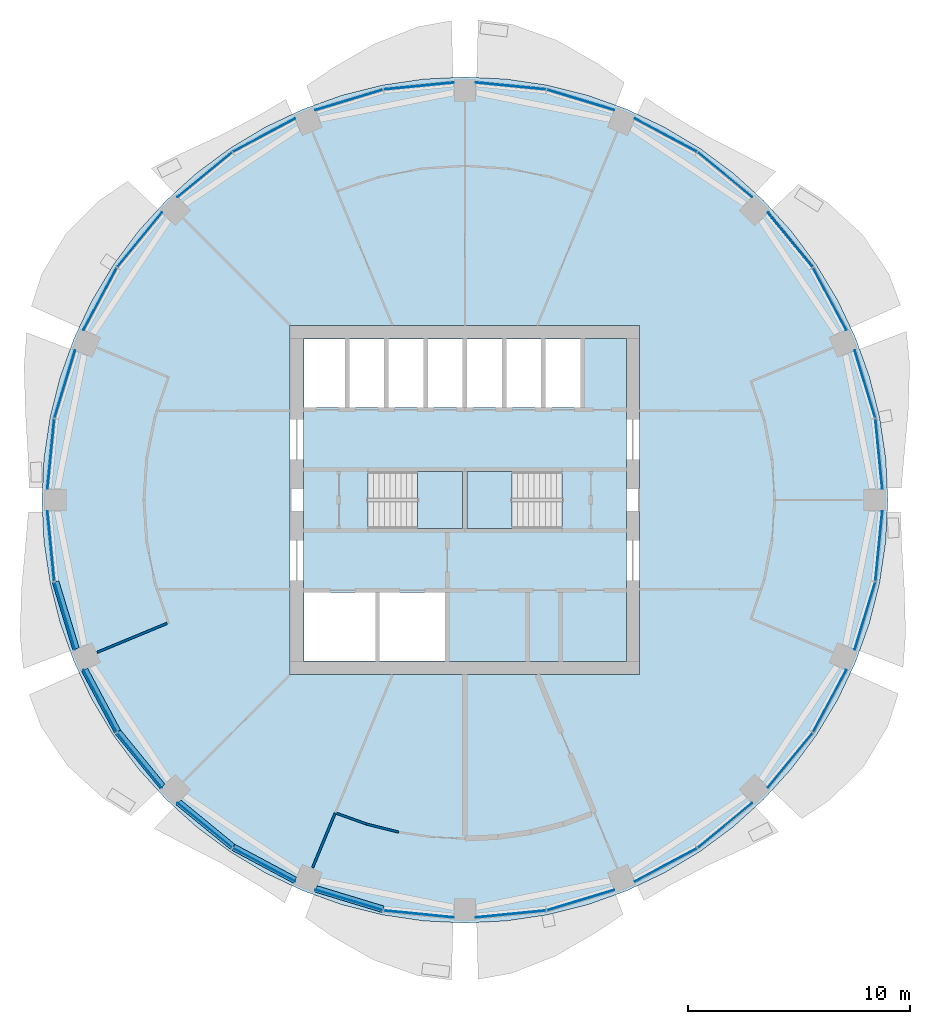
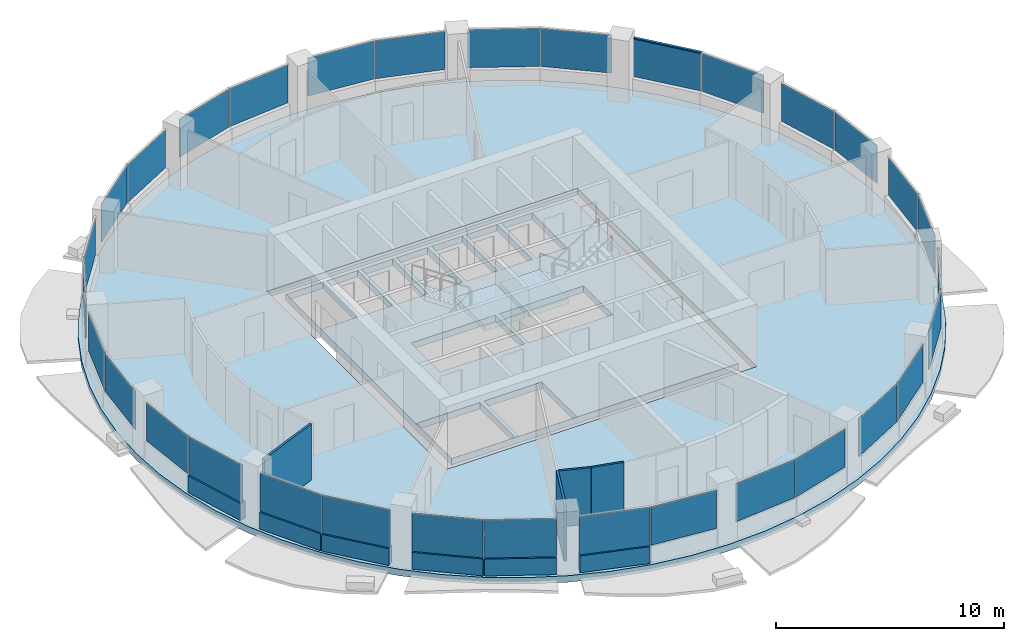
# One storey, part 7 of 15: 32 plates, 10 walls, 4 slabs, 1 member, 18 elements without a shape of their own.
"""IFC4 building model written with IfcOpenShell, lengths in metres."""

from ifc_helpers import new_model, si_unit, direction, frame, frame_2d, origin, origin_2d, place, context, subcontext, project, spatial, polyline, rectangle, outline, extrude, material, layer, layer_set, material_profile, profile_set, type_object, element, aggregate, save


model = new_model("IFC4")

# Units and contexts
model_context = context("Model", 3, precision=1e-05, world=origin(), true_north=direction((0.0, 1.0)))
body_context = subcontext(model_context, "Body", "Model", "MODEL_VIEW")
ifc_project = project(units=[si_unit("LENGTHUNIT", "METRE"), si_unit("AREAUNIT", "SQUARE_METRE"), si_unit("VOLUMEUNIT", "CUBIC_METRE"), si_unit("PLANEANGLEUNIT", "RADIAN"), si_unit("MASSUNIT", "GRAM", prefix="KILO")], contexts=[model_context])

# Site, building, storey
site_placement = place(None, origin())
site = spatial("IfcSite", under=ifc_project, at=site_placement, CompositionType="ELEMENT")
building_placement = place(site_placement, origin())
building = spatial("IfcBuilding", under=site, at=building_placement, Name="Polderwave Tower", CompositionType="ELEMENT")
storey_placement = place(building_placement, frame((0.0, 0.0, 120.949951171875)))
storey = spatial("IfcBuildingStorey", under=building, at=storey_placement, Name="L31", CompositionType="ELEMENT", Elevation=120.949951171875)

# Curtain wall, member
ifc_material_1 = material(Name="Aluminium 6063-T6 and glass", Category="aluminium")
curtain_wall_type = type_object("IfcCurtainWallType", Name="Office ribbon glazing wall", PredefinedType="NOTDEFINED", material=ifc_material_1)
curtain_wall_1_placement = place(storey_placement, origin())
curtain_wall_1 = element("IfcCurtainWall", 1, at=curtain_wall_1_placement, inside=storey, type_object=curtain_wall_type, Name="CW3 L31 01", PredefinedType="NOTDEFINED")
ifc_material_2 = material(Name="Aluminium 6063-T6", Category="aluminium")
ifc_material_profile = material_profile(ifc_material_2, rectangle(XDim=0.1201171875, YDim=0.06005859375, at=origin_2d()), Name="AL 60x120")
ifc_profile_set = profile_set([ifc_material_profile], Name="Aluminium 6063-T6")
member_type = type_object("IfcMemberType", Name="Office ribbon glazing transom 60x120", PredefinedType="USERDEFINED", material=ifc_profile_set)
member_placement = place(storey_placement, frame((15.66455078125, 10.499267578125, 2.969970703125), z_axis=(-0.634374481569, 0.773025883871, 0.0), x_axis=(-0.773025883871, -0.634374481569, 0.0)))
member = element("IfcMember", 2, at=member_placement, type_object=member_type, Name="CW3 transom 2", ObjectType="TRANSOM", PredefinedType="USERDEFINED", context=body_context, shape_type="SweptSolid", body=[
    extrude(rectangle(XDim=0.1201171875, YDim=0.06005859375, at=origin_2d()), origin(), (0.0, 0.0, 1.0), 3.167724609375),
])

# Slab
ifc_material_3 = material(Name="Concrete C40/50", Category="concrete")
ifc_layer_1 = layer(ifc_material_3, 0.35009765625)
ifc_layer_set_1 = layer_set([ifc_layer_1], Name="Core floor slab 350")
slab_type_1 = type_object("IfcSlabType", Name="Core floor slab 350", PredefinedType="FLOOR", material=ifc_layer_set_1)
slab_1_placement = place(storey_placement, frame((0.0, 0.0, -0.349853515625)))
element("IfcSlab", 3, at=slab_1_placement, inside=storey, type_object=slab_type_1, Name="L31 core floor", PredefinedType="FLOOR", context=body_context, shape_type="SweptSolid", body=[
    extrude(outline(polyline([(-7.27392578125, -7.27392578125), (7.27392578125, -7.27392578125), (7.27392578125, 7.27392578125), (-7.27392578125, 7.27392578125), (-7.27392578125, -7.27392578125)]), holes=[polyline([(-7.25390625, -7.25390625), (-4.037109375, -7.25390625), (-4.037109375, -4.174072265625), (-7.25390625, -4.174072265625), (-7.25390625, -7.25390625)]), polyline([(-3.8369140625, -7.25390625), (-0.89990234375, -7.25390625), (-0.89990234375, -4.174072265625), (-3.8369140625, -4.174072265625), (-3.8369140625, -7.25390625)]), polyline([(-7.25390625, 4.174072265625), (-5.405517578125, 4.174072265625), (-5.405517578125, 7.25390625), (-7.25390625, 7.25390625), (-7.25390625, 4.174072265625)]), polyline([(-5.20556640625, 4.174072265625), (-3.636962890625, 4.174072265625), (-3.636962890625, 7.25390625), (-5.20556640625, 7.25390625), (-5.20556640625, 4.174072265625)]), polyline([(-3.43701171875, 4.174072265625), (-1.868408203125, 4.174072265625), (-1.868408203125, 7.25390625), (-3.43701171875, 7.25390625), (-3.43701171875, 4.174072265625)]), polyline([(-1.66845703125, 4.174072265625), (-0.10009765625, 4.174072265625), (-0.10009765625, 7.25390625), (-1.66845703125, 7.25390625), (-1.66845703125, 4.174072265625)]), polyline([(0.10009765625, 4.174072265625), (1.66845703125, 4.174072265625), (1.66845703125, 7.25390625), (0.10009765625, 7.25390625), (0.10009765625, 4.174072265625)]), polyline([(1.868408203125, 4.174072265625), (3.43701171875, 4.174072265625), (3.43701171875, 7.25390625), (1.868408203125, 7.25390625), (1.868408203125, 4.174072265625)]), polyline([(3.636962890625, 4.174072265625), (5.20556640625, 4.174072265625), (5.20556640625, 7.25390625), (3.636962890625, 7.25390625), (3.636962890625, 4.174072265625)]), polyline([(-4.37353515625, -1.2744140625), (-0.1005859375, -1.2744140625), (-0.1005859375, 1.2744140625), (-4.37353515625, 1.2744140625), (-4.37353515625, -1.2744140625)]), polyline([(0.1005859375, -1.2744140625), (4.37353515625, -1.2744140625), (4.37353515625, 1.2744140625), (0.1005859375, 1.2744140625), (0.1005859375, -1.2744140625)])]), origin(), (0.0, 0.0, 1.0), 0.349853515625),
])

# Curtain wall, plates
curtain_wall_2_placement = place(storey_placement, origin())
curtain_wall_2 = element("IfcCurtainWall", 4, at=curtain_wall_2_placement, inside=storey, type_object=curtain_wall_type, Name="CW3 L31 00", PredefinedType="NOTDEFINED")
ifc_material_4 = material(Name="Glass, low-e laminated double glazing", Category="glass")
ifc_layer_2 = layer(ifc_material_4, 0.031982421875)
ifc_layer_set_2 = layer_set([ifc_layer_2], Name="Office ribbon glazing glass panel 32 mm")
plate_type = type_object("IfcPlateType", Name="Office ribbon glazing glass panel 32 mm", PredefinedType="CURTAIN_PANEL", material=ifc_layer_set_2)
plate_1_placement = place(storey_placement, frame((18.65576171875, 2.07568359375, 0.900146484375), z_axis=(0.0, 0.0, 1.0), x_axis=(-0.0979841387, 0.995187976496, 0.0)))
plate_1 = element("IfcPlate", 5, at=plate_1_placement, type_object=plate_type, Name="CW3 panel 1", PredefinedType="CURTAIN_PANEL", context=body_context, shape_type="SweptSolid", body=[
    extrude(rectangle(XDim=3.1669921875, YDim=0.031982421875, at=origin_2d()), origin(), (0.0, 0.0, 1.0), 2.0400390625),
])
plate_2_placement = place(storey_placement, frame((18.030029296875, 5.22119140625, 0.900146484375), z_axis=(0.0, 0.0, 1.0), x_axis=(-0.290389896585, 0.95690841148, 0.0)))
plate_2 = element("IfcPlate", 6, at=plate_2_placement, type_object=plate_type, Name="CW3 panel 2", PredefinedType="CURTAIN_PANEL", context=body_context, shape_type="SweptSolid", body=[
    extrude(rectangle(XDim=3.168212890625, YDim=0.031982421875, at=origin_2d()), origin(), (0.0, 0.0, 1.0), 2.0400390625),
])
aggregate(curtain_wall_2, [plate_1, plate_2])

# Plate
plate_3_placement = place(storey_placement, frame((16.44140625, 9.057373046875, 0.900146484375), z_axis=(0.0, 0.0, 1.0), x_axis=(-0.471466001306, 0.881884238215, 0.0)))
plate_3 = element("IfcPlate", 7, at=plate_3_placement, type_object=plate_type, Name="CW3 panel 1", PredefinedType="CURTAIN_PANEL", context=body_context, shape_type="SweptSolid", body=[
    extrude(rectangle(XDim=3.166748046875, YDim=0.031982421875, at=origin_2d()), origin(), (0.0, 0.0, 1.0), 2.0400390625),
])

plate_4_placement = place(storey_placement, frame((14.659912109375, 11.7236328125, 0.900146484375), z_axis=(0.0, 0.0, 1.0), x_axis=(-0.634378443311, 0.773022632697, 0.0)))
plate_4 = element("IfcPlate", 8, at=plate_4_placement, type_object=plate_type, Name="CW3 panel 2", PredefinedType="CURTAIN_PANEL", context=body_context, shape_type="SweptSolid", body=[
    extrude(rectangle(XDim=3.167724609375, YDim=0.031982421875, at=origin_2d()), origin(), (0.0, 0.0, 1.0), 2.0400390625),
])

aggregate(curtain_wall_1, [member, plate_3, plate_4])

# Curtain wall, plates
curtain_wall_3_placement = place(storey_placement, origin())
curtain_wall_3 = element("IfcCurtainWall", 9, at=curtain_wall_3_placement, inside=storey, type_object=curtain_wall_type, Name="CW3 L31 02", PredefinedType="NOTDEFINED")
plate_5_placement = place(storey_placement, frame((11.7236328125, 14.659912109375, 0.900146484375), z_axis=(0.0, 0.0, 1.0), x_axis=(-0.773022632697, 0.634378443311, 0.0)))
plate_5 = element("IfcPlate", 10, at=plate_5_placement, type_object=plate_type, Name="CW3 panel 1", PredefinedType="CURTAIN_PANEL", context=body_context, shape_type="SweptSolid", body=[
    extrude(rectangle(XDim=3.167724609375, YDim=0.031982421875, at=origin_2d()), origin(), (0.0, 0.0, 1.0), 2.0400390625),
])
plate_6_placement = place(storey_placement, frame((9.057373046875, 16.44140625, 0.900146484375), z_axis=(0.0, 0.0, 1.0), x_axis=(-0.881884238215, 0.471466001306, 0.0)))
plate_6 = element("IfcPlate", 11, at=plate_6_placement, type_object=plate_type, Name="CW3 panel 2", PredefinedType="CURTAIN_PANEL", context=body_context, shape_type="SweptSolid", body=[
    extrude(rectangle(XDim=3.166748046875, YDim=0.031982421875, at=origin_2d()), origin(), (0.0, 0.0, 1.0), 2.0400390625),
])
aggregate(curtain_wall_3, [plate_5, plate_6])

curtain_wall_4_placement = place(storey_placement, origin())
curtain_wall_4 = element("IfcCurtainWall", 12, at=curtain_wall_4_placement, inside=storey, type_object=curtain_wall_type, Name="CW3 L31 03", PredefinedType="NOTDEFINED")
plate_7_placement = place(storey_placement, frame((5.22119140625, 18.030029296875, 0.900146484375), z_axis=(0.0, 0.0, 1.0), x_axis=(-0.95690841148, 0.290389896585, 0.0)))
plate_7 = element("IfcPlate", 13, at=plate_7_placement, type_object=plate_type, Name="CW3 panel 1", PredefinedType="CURTAIN_PANEL", context=body_context, shape_type="SweptSolid", body=[
    extrude(rectangle(XDim=3.168212890625, YDim=0.031982421875, at=origin_2d()), origin(), (0.0, 0.0, 1.0), 2.0400390625),
])
plate_8_placement = place(storey_placement, frame((2.07568359375, 18.65576171875, 0.900146484375), z_axis=(0.0, 0.0, 1.0), x_axis=(-0.995187976496, 0.0979841387, 0.0)))
plate_8 = element("IfcPlate", 14, at=plate_8_placement, type_object=plate_type, Name="CW3 panel 2", PredefinedType="CURTAIN_PANEL", context=body_context, shape_type="SweptSolid", body=[
    extrude(rectangle(XDim=3.1669921875, YDim=0.031982421875, at=origin_2d()), origin(), (0.0, 0.0, 1.0), 2.0400390625),
])
aggregate(curtain_wall_4, [plate_7, plate_8])

curtain_wall_5_placement = place(storey_placement, origin())
curtain_wall_5 = element("IfcCurtainWall", 15, at=curtain_wall_5_placement, inside=storey, type_object=curtain_wall_type, Name="CW3 L31 04", PredefinedType="NOTDEFINED")
plate_9_placement = place(storey_placement, frame((-2.07568359375, 18.65576171875, 0.900146484375), z_axis=(0.0, 0.0, 1.0), x_axis=(-0.995187976496, -0.0979841387, 0.0)))
plate_9 = element("IfcPlate", 16, at=plate_9_placement, type_object=plate_type, Name="CW3 panel 1", PredefinedType="CURTAIN_PANEL", context=body_context, shape_type="SweptSolid", body=[
    extrude(rectangle(XDim=3.1669921875, YDim=0.031982421875, at=origin_2d()), origin(), (0.0, 0.0, 1.0), 2.0400390625),
])
plate_10_placement = place(storey_placement, frame((-5.22119140625, 18.030029296875, 0.900146484375), z_axis=(0.0, 0.0, 1.0), x_axis=(-0.95690841148, -0.290389896585, 0.0)))
plate_10 = element("IfcPlate", 17, at=plate_10_placement, type_object=plate_type, Name="CW3 panel 2", PredefinedType="CURTAIN_PANEL", context=body_context, shape_type="SweptSolid", body=[
    extrude(rectangle(XDim=3.168212890625, YDim=0.031982421875, at=origin_2d()), origin(), (0.0, 0.0, 1.0), 2.0400390625),
])
aggregate(curtain_wall_5, [plate_9, plate_10])

curtain_wall_6_placement = place(storey_placement, origin())
curtain_wall_6 = element("IfcCurtainWall", 18, at=curtain_wall_6_placement, inside=storey, type_object=curtain_wall_type, Name="CW3 L31 05", PredefinedType="NOTDEFINED")
plate_11_placement = place(storey_placement, frame((-9.057373046875, 16.44140625, 0.900146484375), z_axis=(0.0, 0.0, 1.0), x_axis=(-0.881884238215, -0.471466001306, 0.0)))
plate_11 = element("IfcPlate", 19, at=plate_11_placement, type_object=plate_type, Name="CW3 panel 1", PredefinedType="CURTAIN_PANEL", context=body_context, shape_type="SweptSolid", body=[
    extrude(rectangle(XDim=3.166748046875, YDim=0.031982421875, at=origin_2d()), origin(), (0.0, 0.0, 1.0), 2.0400390625),
])
plate_12_placement = place(storey_placement, frame((-11.7236328125, 14.659912109375, 0.900146484375), z_axis=(0.0, 0.0, 1.0), x_axis=(-0.773022632697, -0.634378443311, 0.0)))
plate_12 = element("IfcPlate", 20, at=plate_12_placement, type_object=plate_type, Name="CW3 panel 2", PredefinedType="CURTAIN_PANEL", context=body_context, shape_type="SweptSolid", body=[
    extrude(rectangle(XDim=3.167724609375, YDim=0.031982421875, at=origin_2d()), origin(), (0.0, 0.0, 1.0), 2.0400390625),
])
aggregate(curtain_wall_6, [plate_11, plate_12])

curtain_wall_7_placement = place(storey_placement, origin())
curtain_wall_7 = element("IfcCurtainWall", 21, at=curtain_wall_7_placement, inside=storey, type_object=curtain_wall_type, Name="CW3 L31 06", PredefinedType="NOTDEFINED")
plate_13_placement = place(storey_placement, frame((-14.659912109375, 11.7236328125, 0.900146484375), z_axis=(0.0, 0.0, 1.0), x_axis=(-0.634378443311, -0.773022632697, 0.0)))
plate_13 = element("IfcPlate", 22, at=plate_13_placement, type_object=plate_type, Name="CW3 panel 1", PredefinedType="CURTAIN_PANEL", context=body_context, shape_type="SweptSolid", body=[
    extrude(rectangle(XDim=3.167724609375, YDim=0.031982421875, at=origin_2d()), origin(), (0.0, 0.0, 1.0), 2.0400390625),
])
plate_14_placement = place(storey_placement, frame((-16.44140625, 9.057373046875, 0.900146484375), z_axis=(0.0, 0.0, 1.0), x_axis=(-0.471466001306, -0.881884238215, 0.0)))
plate_14 = element("IfcPlate", 23, at=plate_14_placement, type_object=plate_type, Name="CW3 panel 2", PredefinedType="CURTAIN_PANEL", context=body_context, shape_type="SweptSolid", body=[
    extrude(rectangle(XDim=3.166748046875, YDim=0.031982421875, at=origin_2d()), origin(), (0.0, 0.0, 1.0), 2.0400390625),
])
aggregate(curtain_wall_7, [plate_13, plate_14])

curtain_wall_8_placement = place(storey_placement, origin())
curtain_wall_8 = element("IfcCurtainWall", 24, at=curtain_wall_8_placement, inside=storey, type_object=curtain_wall_type, Name="CW3 L31 07", PredefinedType="NOTDEFINED")
plate_15_placement = place(storey_placement, frame((-18.030029296875, 5.22119140625, 0.900146484375), z_axis=(0.0, 0.0, 1.0), x_axis=(-0.290389896585, -0.95690841148, 0.0)))
plate_15 = element("IfcPlate", 25, at=plate_15_placement, type_object=plate_type, Name="CW3 panel 1", PredefinedType="CURTAIN_PANEL", context=body_context, shape_type="SweptSolid", body=[
    extrude(rectangle(XDim=3.168212890625, YDim=0.031982421875, at=origin_2d()), origin(), (0.0, 0.0, 1.0), 2.0400390625),
])
plate_16_placement = place(storey_placement, frame((-18.65576171875, 2.07568359375, 0.900146484375), z_axis=(0.0, 0.0, 1.0), x_axis=(-0.0979841387, -0.995187976496, 0.0)))
plate_16 = element("IfcPlate", 26, at=plate_16_placement, type_object=plate_type, Name="CW3 panel 2", PredefinedType="CURTAIN_PANEL", context=body_context, shape_type="SweptSolid", body=[
    extrude(rectangle(XDim=3.1669921875, YDim=0.031982421875, at=origin_2d()), origin(), (0.0, 0.0, 1.0), 2.0400390625),
])
aggregate(curtain_wall_8, [plate_15, plate_16])

curtain_wall_9_placement = place(storey_placement, origin())
curtain_wall_9 = element("IfcCurtainWall", 27, at=curtain_wall_9_placement, inside=storey, type_object=curtain_wall_type, Name="CW3 L31 08", PredefinedType="NOTDEFINED")
plate_17_placement = place(storey_placement, frame((-18.65576171875, -2.07568359375, 0.900146484375), z_axis=(0.0, 0.0, 1.0), x_axis=(0.0979841387, -0.995187976496, 0.0)))
plate_17 = element("IfcPlate", 28, at=plate_17_placement, type_object=plate_type, Name="CW3 panel 1", PredefinedType="CURTAIN_PANEL", context=body_context, shape_type="SweptSolid", body=[
    extrude(rectangle(XDim=3.1669921875, YDim=0.031982421875, at=origin_2d()), origin(), (0.0, 0.0, 1.0), 2.0400390625),
])
plate_18_placement = place(storey_placement, frame((-18.030029296875, -5.22119140625, 0.900146484375), z_axis=(0.0, 0.0, 1.0), x_axis=(0.290389896585, -0.95690841148, 0.0)))
plate_18 = element("IfcPlate", 29, at=plate_18_placement, type_object=plate_type, Name="CW3 panel 2", PredefinedType="CURTAIN_PANEL", context=body_context, shape_type="SweptSolid", body=[
    extrude(rectangle(XDim=3.168212890625, YDim=0.031982421875, at=origin_2d()), origin(), (0.0, 0.0, 1.0), 2.0400390625),
])
aggregate(curtain_wall_9, [plate_17, plate_18])

curtain_wall_10_placement = place(storey_placement, origin())
curtain_wall_10 = element("IfcCurtainWall", 30, at=curtain_wall_10_placement, inside=storey, type_object=curtain_wall_type, Name="CW3 L31 09", PredefinedType="NOTDEFINED")
plate_19_placement = place(storey_placement, frame((-16.44140625, -9.057373046875, 0.900146484375), z_axis=(0.0, 0.0, 1.0), x_axis=(0.471466001306, -0.881884238215, 0.0)))
plate_19 = element("IfcPlate", 31, at=plate_19_placement, type_object=plate_type, Name="CW3 panel 1", PredefinedType="CURTAIN_PANEL", context=body_context, shape_type="SweptSolid", body=[
    extrude(rectangle(XDim=3.166748046875, YDim=0.031982421875, at=origin_2d()), origin(), (0.0, 0.0, 1.0), 2.0400390625),
])
plate_20_placement = place(storey_placement, frame((-14.659912109375, -11.7236328125, 0.900146484375), z_axis=(0.0, 0.0, 1.0), x_axis=(0.634378443311, -0.773022632697, 0.0)))
plate_20 = element("IfcPlate", 32, at=plate_20_placement, type_object=plate_type, Name="CW3 panel 2", PredefinedType="CURTAIN_PANEL", context=body_context, shape_type="SweptSolid", body=[
    extrude(rectangle(XDim=3.167724609375, YDim=0.031982421875, at=origin_2d()), origin(), (0.0, 0.0, 1.0), 2.0400390625),
])
aggregate(curtain_wall_10, [plate_19, plate_20])

curtain_wall_11_placement = place(storey_placement, origin())
curtain_wall_11 = element("IfcCurtainWall", 33, at=curtain_wall_11_placement, inside=storey, type_object=curtain_wall_type, Name="CW3 L31 10", PredefinedType="NOTDEFINED")
plate_21_placement = place(storey_placement, frame((-11.7236328125, -14.659912109375, 0.900146484375), z_axis=(0.0, 0.0, 1.0), x_axis=(0.773022632697, -0.634378443311, 0.0)))
plate_21 = element("IfcPlate", 34, at=plate_21_placement, type_object=plate_type, Name="CW3 panel 1", PredefinedType="CURTAIN_PANEL", context=body_context, shape_type="SweptSolid", body=[
    extrude(rectangle(XDim=3.167724609375, YDim=0.031982421875, at=origin_2d()), origin(), (0.0, 0.0, 1.0), 2.0400390625),
])
plate_22_placement = place(storey_placement, frame((-9.057373046875, -16.44140625, 0.900146484375), z_axis=(0.0, 0.0, 1.0), x_axis=(0.881884238215, -0.471466001306, 0.0)))
plate_22 = element("IfcPlate", 35, at=plate_22_placement, type_object=plate_type, Name="CW3 panel 2", PredefinedType="CURTAIN_PANEL", context=body_context, shape_type="SweptSolid", body=[
    extrude(rectangle(XDim=3.166748046875, YDim=0.031982421875, at=origin_2d()), origin(), (0.0, 0.0, 1.0), 2.0400390625),
])
aggregate(curtain_wall_11, [plate_21, plate_22])

curtain_wall_12_placement = place(storey_placement, origin())
curtain_wall_12 = element("IfcCurtainWall", 36, at=curtain_wall_12_placement, inside=storey, type_object=curtain_wall_type, Name="CW3 L31 11", PredefinedType="NOTDEFINED")
plate_23_placement = place(storey_placement, frame((-5.22119140625, -18.030029296875, 0.900146484375), z_axis=(0.0, 0.0, 1.0), x_axis=(0.95690841148, -0.290389896585, 0.0)))
plate_23 = element("IfcPlate", 37, at=plate_23_placement, type_object=plate_type, Name="CW3 panel 1", PredefinedType="CURTAIN_PANEL", context=body_context, shape_type="SweptSolid", body=[
    extrude(rectangle(XDim=3.168212890625, YDim=0.031982421875, at=origin_2d()), origin(), (0.0, 0.0, 1.0), 2.0400390625),
])
plate_24_placement = place(storey_placement, frame((-2.07568359375, -18.65576171875, 0.900146484375), z_axis=(0.0, 0.0, 1.0), x_axis=(0.995187976496, -0.0979841387, 0.0)))
plate_24 = element("IfcPlate", 38, at=plate_24_placement, type_object=plate_type, Name="CW3 panel 2", PredefinedType="CURTAIN_PANEL", context=body_context, shape_type="SweptSolid", body=[
    extrude(rectangle(XDim=3.1669921875, YDim=0.031982421875, at=origin_2d()), origin(), (0.0, 0.0, 1.0), 2.0400390625),
])
aggregate(curtain_wall_12, [plate_23, plate_24])

curtain_wall_13_placement = place(storey_placement, origin())
curtain_wall_13 = element("IfcCurtainWall", 39, at=curtain_wall_13_placement, inside=storey, type_object=curtain_wall_type, Name="CW3 L31 12", PredefinedType="NOTDEFINED")
plate_25_placement = place(storey_placement, frame((2.07568359375, -18.65576171875, 0.900146484375), z_axis=(0.0, 0.0, 1.0), x_axis=(0.995187976496, 0.0979841387, 0.0)))
plate_25 = element("IfcPlate", 40, at=plate_25_placement, type_object=plate_type, Name="CW3 panel 1", PredefinedType="CURTAIN_PANEL", context=body_context, shape_type="SweptSolid", body=[
    extrude(rectangle(XDim=3.1669921875, YDim=0.031982421875, at=origin_2d()), origin(), (0.0, 0.0, 1.0), 2.0400390625),
])
plate_26_placement = place(storey_placement, frame((5.22119140625, -18.030029296875, 0.900146484375), z_axis=(0.0, 0.0, 1.0), x_axis=(0.95690841148, 0.290389896585, 0.0)))
plate_26 = element("IfcPlate", 41, at=plate_26_placement, type_object=plate_type, Name="CW3 panel 2", PredefinedType="CURTAIN_PANEL", context=body_context, shape_type="SweptSolid", body=[
    extrude(rectangle(XDim=3.168212890625, YDim=0.031982421875, at=origin_2d()), origin(), (0.0, 0.0, 1.0), 2.0400390625),
])
aggregate(curtain_wall_13, [plate_25, plate_26])

curtain_wall_14_placement = place(storey_placement, origin())
curtain_wall_14 = element("IfcCurtainWall", 42, at=curtain_wall_14_placement, inside=storey, type_object=curtain_wall_type, Name="CW3 L31 13", PredefinedType="NOTDEFINED")
plate_27_placement = place(storey_placement, frame((9.057373046875, -16.44140625, 0.900146484375), z_axis=(0.0, 0.0, 1.0), x_axis=(0.881884238215, 0.471466001306, 0.0)))
plate_27 = element("IfcPlate", 43, at=plate_27_placement, type_object=plate_type, Name="CW3 panel 1", PredefinedType="CURTAIN_PANEL", context=body_context, shape_type="SweptSolid", body=[
    extrude(rectangle(XDim=3.166748046875, YDim=0.031982421875, at=origin_2d()), origin(), (0.0, 0.0, 1.0), 2.0400390625),
])
plate_28_placement = place(storey_placement, frame((11.7236328125, -14.659912109375, 0.900146484375), z_axis=(0.0, 0.0, 1.0), x_axis=(0.773022632697, 0.634378443311, 0.0)))
plate_28 = element("IfcPlate", 44, at=plate_28_placement, type_object=plate_type, Name="CW3 panel 2", PredefinedType="CURTAIN_PANEL", context=body_context, shape_type="SweptSolid", body=[
    extrude(rectangle(XDim=3.167724609375, YDim=0.031982421875, at=origin_2d()), origin(), (0.0, 0.0, 1.0), 2.0400390625),
])
aggregate(curtain_wall_14, [plate_27, plate_28])

curtain_wall_15_placement = place(storey_placement, origin())
curtain_wall_15 = element("IfcCurtainWall", 45, at=curtain_wall_15_placement, inside=storey, type_object=curtain_wall_type, Name="CW3 L31 14", PredefinedType="NOTDEFINED")
plate_29_placement = place(storey_placement, frame((14.659912109375, -11.7236328125, 0.900146484375), z_axis=(0.0, 0.0, 1.0), x_axis=(0.634378443311, 0.773022632697, 0.0)))
plate_29 = element("IfcPlate", 46, at=plate_29_placement, type_object=plate_type, Name="CW3 panel 1", PredefinedType="CURTAIN_PANEL", context=body_context, shape_type="SweptSolid", body=[
    extrude(rectangle(XDim=3.167724609375, YDim=0.031982421875, at=origin_2d()), origin(), (0.0, 0.0, 1.0), 2.0400390625),
])
plate_30_placement = place(storey_placement, frame((16.44140625, -9.057373046875, 0.900146484375), z_axis=(0.0, 0.0, 1.0), x_axis=(0.471466001306, 0.881884238215, 0.0)))
plate_30 = element("IfcPlate", 47, at=plate_30_placement, type_object=plate_type, Name="CW3 panel 2", PredefinedType="CURTAIN_PANEL", context=body_context, shape_type="SweptSolid", body=[
    extrude(rectangle(XDim=3.166748046875, YDim=0.031982421875, at=origin_2d()), origin(), (0.0, 0.0, 1.0), 2.0400390625),
])
aggregate(curtain_wall_15, [plate_29, plate_30])

curtain_wall_16_placement = place(storey_placement, origin())
curtain_wall_16 = element("IfcCurtainWall", 48, at=curtain_wall_16_placement, inside=storey, type_object=curtain_wall_type, Name="CW3 L31 15", PredefinedType="NOTDEFINED")
plate_31_placement = place(storey_placement, frame((18.030029296875, -5.22119140625, 0.900146484375), z_axis=(0.0, 0.0, 1.0), x_axis=(0.290389896585, 0.95690841148, 0.0)))
plate_31 = element("IfcPlate", 49, at=plate_31_placement, type_object=plate_type, Name="CW3 panel 1", PredefinedType="CURTAIN_PANEL", context=body_context, shape_type="SweptSolid", body=[
    extrude(rectangle(XDim=3.168212890625, YDim=0.031982421875, at=origin_2d()), origin(), (0.0, 0.0, 1.0), 2.0400390625),
])
plate_32_placement = place(storey_placement, frame((18.65576171875, -2.07568359375, 0.900146484375), z_axis=(0.0, 0.0, 1.0), x_axis=(0.0979841387, 0.995187976496, 0.0)))
plate_32 = element("IfcPlate", 50, at=plate_32_placement, type_object=plate_type, Name="CW3 panel 2", PredefinedType="CURTAIN_PANEL", context=body_context, shape_type="SweptSolid", body=[
    extrude(rectangle(XDim=3.1669921875, YDim=0.031982421875, at=origin_2d()), origin(), (0.0, 0.0, 1.0), 2.0400390625),
])
aggregate(curtain_wall_16, [plate_31, plate_32])

# Slab
ifc_layer_3 = layer(ifc_material_3, 0.35009765625)
ifc_layer_set_3 = layer_set([ifc_layer_3], Name="PT FLOOR SLAB 350 C40/50")
slab_type_2 = type_object("IfcSlabType", Name="PT FLOOR SLAB 350 C40/50", PredefinedType="FLOOR", material=ifc_layer_set_3)
slab_2_placement = place(storey_placement, frame((0.0, 0.0, -0.349853515625)))
element("IfcSlab", 51, at=slab_2_placement, inside=storey, type_object=slab_type_2, Name="ST-SLAB-L31", PredefinedType="FLOOR", context=body_context, shape_type="SweptSolid", body=[
    extrude(outline(polyline([(19.06005859375, 0.0), (18.96826171875, 1.8681640625), (18.69384765625, 3.718505859375), (18.2392578125, 5.53271484375), (17.609130859375, 7.2939453125), (16.809326171875, 8.98486328125), (15.847900390625, 10.589111328125), (14.733642578125, 12.091552734375), (13.4775390625, 13.4775390625), (12.091552734375, 14.733642578125), (10.589111328125, 15.847900390625), (8.98486328125, 16.809326171875), (7.2939453125, 17.609130859375), (5.53271484375, 18.2392578125), (3.718505859375, 18.69384765625), (1.8681640625, 18.96826171875), (0.0, 19.06005859375), (-1.8681640625, 18.96826171875), (-3.718505859375, 18.69384765625), (-5.53271484375, 18.2392578125), (-7.2939453125, 17.609130859375), (-8.98486328125, 16.809326171875), (-10.589111328125, 15.847900390625), (-12.091552734375, 14.733642578125), (-13.4775390625, 13.4775390625), (-14.733642578125, 12.091552734375), (-15.847900390625, 10.589111328125), (-16.809326171875, 8.98486328125), (-17.609130859375, 7.2939453125), (-18.2392578125, 5.53271484375), (-18.69384765625, 3.718505859375), (-18.96826171875, 1.8681640625), (-19.06005859375, 0.0), (-18.96826171875, -1.8681640625), (-18.69384765625, -3.718505859375), (-18.2392578125, -5.53271484375), (-17.609130859375, -7.2939453125), (-16.809326171875, -8.98486328125), (-15.847900390625, -10.589111328125), (-14.733642578125, -12.091552734375), (-13.4775390625, -13.4775390625), (-12.091552734375, -14.733642578125), (-10.589111328125, -15.847900390625), (-8.98486328125, -16.809326171875), (-7.2939453125, -17.609130859375), (-5.53271484375, -18.2392578125), (-3.718505859375, -18.69384765625), (-1.8681640625, -18.96826171875), (0.0, -19.06005859375), (1.8681640625, -18.96826171875), (3.718505859375, -18.69384765625), (5.53271484375, -18.2392578125), (7.2939453125, -17.609130859375), (8.98486328125, -16.809326171875), (10.589111328125, -15.847900390625), (12.091552734375, -14.733642578125), (13.4775390625, -13.4775390625), (14.733642578125, -12.091552734375), (15.847900390625, -10.589111328125), (16.809326171875, -8.98486328125), (17.609130859375, -7.2939453125), (18.2392578125, -5.53271484375), (18.69384765625, -3.718505859375), (18.96826171875, -1.8681640625), (19.06005859375, 0.0)]), holes=[polyline([(-7.8740234375, -7.8740234375), (7.8740234375, -7.8740234375), (7.8740234375, 7.8740234375), (-7.8740234375, 7.8740234375), (-7.8740234375, -7.8740234375)])]), origin(), (0.0, 0.0, 1.0), 0.349853515625),
])

# Stair, slab
stair_type = type_object("IfcStairType", Name="Exit stair 1200 x 20 risers", PredefinedType="HALF_TURN_STAIR", material=ifc_material_3)
stair_1_placement = place(storey_placement, origin())
stair_1 = element("IfcStair", 52, at=stair_1_placement, inside=storey, type_object=stair_type, Name="L31 Exit stair A", PredefinedType="HALF_TURN_STAIR")
ifc_layer_4 = layer(ifc_material_3, 0.300048828125)
ifc_layer_set_4 = layer_set([ifc_layer_4], Name="Stair landing 300")
slab_type_3 = type_object("IfcSlabType", Name="Stair landing 300", PredefinedType="LANDING", material=ifc_layer_set_4)
slab_3_placement = place(storey_placement, frame((0.0, 0.0, 1.375)))
slab_3 = element("IfcSlab", 53, at=slab_3_placement, type_object=slab_type_3, Name="ST-A landing 1", PredefinedType="LANDING", context=body_context, shape_type="SweptSolid", body=[
    extrude(outline(polyline([(-2.1240234375, -1.27490234375), (-0.10009765625, -1.27490234375), (-0.10009765625, 1.27490234375), (-2.1240234375, 1.27490234375), (-2.1240234375, -1.27490234375)])), origin(), (0.0, 0.0, 1.0), 0.300048828125),
])
aggregate(stair_1, [slab_3])

stair_2_placement = place(storey_placement, origin())
stair_2 = element("IfcStair", 54, at=stair_2_placement, inside=storey, type_object=stair_type, Name="L31 Exit stair B", PredefinedType="HALF_TURN_STAIR")
slab_4_placement = place(storey_placement, frame((0.0, 0.0, 1.375)))
slab_4 = element("IfcSlab", 55, at=slab_4_placement, type_object=slab_type_3, Name="ST-B landing 1", PredefinedType="LANDING", context=body_context, shape_type="SweptSolid", body=[
    extrude(outline(polyline([(2.1240234375, 1.27490234375), (0.10009765625, 1.27490234375), (0.10009765625, -1.27490234375), (2.1240234375, -1.27490234375), (2.1240234375, 1.27490234375)])), origin(), (0.0, 0.0, 1.0), 0.300048828125),
])
aggregate(stair_2, [slab_4])

# Walls
ifc_material_5 = material(Name="Concrete C50/60 (board-marked)", Category="concrete")
ifc_layer_5 = layer(ifc_material_5, 0.300048828125)
ifc_layer_set_5 = layer_set([ifc_layer_5], Name="Concrete spandrel upstand C50/60")
wall_type_1 = type_object("IfcWallType", Name="Concrete spandrel upstand C50/60", PredefinedType="SOLIDWALL", material=ifc_layer_set_5)
wall_1_placement = place(storey_placement, frame((-18.444580078125, -3.683349609375, 0.0), z_axis=(0.0, 0.0, 1.0), x_axis=(0.290503096001, -0.956874051907, 0.0)))
element("IfcWall", 56, at=wall_1_placement, inside=storey, type_object=wall_type_1, Name="Spandrel L31 9b", PredefinedType="SOLIDWALL", context=body_context, shape_type="SweptSolid", body=[
    extrude(rectangle(XDim=3.157470703125, YDim=0.300048828125, at=frame_2d((1.57861328125, 0.0))), origin(), (0.0, 0.0, 1.0), 0.900146484375),
])
wall_2_placement = place(storey_placement, frame((-17.135009765625, -7.654296875, 0.0), z_axis=(0.0, 0.0, 1.0), x_axis=(0.471527722113, -0.881851238747, 0.0)))
element("IfcWall", 57, at=wall_2_placement, inside=storey, type_object=wall_type_1, Name="Spandrel L31 10a", PredefinedType="SOLIDWALL", context=body_context, shape_type="SweptSolid", body=[
    extrude(rectangle(XDim=3.1552734375, YDim=0.300048828125, at=frame_2d((1.57763671875, 0.0))), origin(), (0.0, 0.0, 1.0), 0.900146484375),
])
for number, where, z_axis, x_axis, name in (
    (58, (-15.630615234375, -10.461669921875, 0.0), (0.0, 0.0, 1.0), (0.634239575548, -0.773136573193, 0.0), "Spandrel L31 10b"),
    (59, (-12.90234375, -13.62841796875, 0.0), (0.0, 0.0, 1.0), (0.773136573193, -0.634239575548, 0.0), "Spandrel L31 11a"),
):
    element("IfcWall", number, at=place(storey_placement, frame(where, z_axis=z_axis, x_axis=x_axis)), inside=storey, type_object=wall_type_1, Name=name, PredefinedType="SOLIDWALL", context=body_context, shape_type="SweptSolid", body=[
        extrude(rectangle(XDim=3.15673828125, YDim=0.300048828125, at=frame_2d((1.578369140625, 0.0))), origin(), (0.0, 0.0, 1.0), 0.900146484375),
    ])
wall_3_placement = place(storey_placement, frame((-10.436767578125, -15.647216796875, 0.0), z_axis=(0.0, 0.0, 1.0), x_axis=(0.881851238747, -0.471527722113, 0.0)))
element("IfcWall", 60, at=wall_3_placement, inside=storey, type_object=wall_type_1, Name="Spandrel L31 11b", PredefinedType="SOLIDWALL", context=body_context, shape_type="SweptSolid", body=[
    extrude(rectangle(XDim=3.1552734375, YDim=0.300048828125, at=frame_2d((1.57763671875, 0.0))), origin(), (0.0, 0.0, 1.0), 0.900146484375),
])
wall_4_placement = place(storey_placement, frame((-6.70458984375, -17.52734375, 0.0), z_axis=(0.0, 0.0, 1.0), x_axis=(0.956874051907, -0.290503096001, 0.0)))
element("IfcWall", 61, at=wall_4_placement, inside=storey, type_object=wall_type_1, Name="Spandrel L31 12a", PredefinedType="SOLIDWALL", context=body_context, shape_type="SweptSolid", body=[
    extrude(rectangle(XDim=3.157470703125, YDim=0.300048828125, at=frame_2d((1.57861328125, 0.0))), origin(), (0.0, 0.0, 1.0), 0.900146484375),
])
ifc_material_6 = material(Name="Moisture-resistant board on steel studs, tiled", Category="steel")
ifc_layer_6 = layer(ifc_material_6, 0.10498046875)
ifc_layer_set_6 = layer_set([ifc_layer_6], Name="Partition 105 mm wet room board and tile")
wall_type_2 = type_object("IfcWallType", Name="Partition 105 mm wet room board and tile", PredefinedType="PARTITIONING", material=ifc_layer_set_6)
wall_5_placement = place(storey_placement, frame((-4.43212890625, -14.60205078125, 0.0), z_axis=(0.0, 0.0, 1.0), x_axis=(-0.941561150217, 0.336842100105, 0.0)))
element("IfcWall", 62, at=wall_5_placement, inside=storey, type_object=wall_type_2, Name="IN-L31-W040", PredefinedType="PARTITIONING", context=body_context, shape_type="SweptSolid", body=[
    extrude(rectangle(XDim=1.437255859375, YDim=0.10498046875, at=frame_2d((0.71875, 0.0))), origin(), (0.0, 0.0, 1.0), 3.0),
])
wall_6_placement = place(storey_placement, frame((-2.9794921875, -14.96630859375, 0.0), z_axis=(0.0, 0.0, 1.0), x_axis=(-0.970007640584, 0.243074427303, 0.0)))
element("IfcWall", 63, at=wall_6_placement, inside=storey, type_object=wall_type_2, Name="IN-L31-W041", PredefinedType="PARTITIONING", context=body_context, shape_type="SweptSolid", body=[
    extrude(rectangle(XDim=1.492431640625, YDim=0.10498046875, at=frame_2d((0.74609375, 0.0))), origin(), (0.0, 0.0, 1.0), 3.0),
])
ifc_material_7 = material(Name="Acoustic double plasterboard on steel studs", Category="steel")
ifc_layer_7 = layer(ifc_material_7, 0.110107421875)
ifc_layer_set_7 = layer_set([ifc_layer_7], Name="Partition 110 mm acoustic double board")
wall_type_3 = type_object("IfcWallType", Name="Partition 110 mm acoustic double board", PredefinedType="PARTITIONING", material=ifc_layer_set_7)
wall_7_placement = place(storey_placement, frame((-13.41357421875, -5.55615234375, 0.0), z_axis=(0.0, 0.0, 1.0), x_axis=(-0.923881629558, -0.382678369606, 0.0)))
element("IfcWall", 64, at=wall_7_placement, inside=storey, type_object=wall_type_3, Name="IN-L31-W036", PredefinedType="PARTITIONING", context=body_context, shape_type="SweptSolid", body=[
    extrude(rectangle(XDim=3.411376953125, YDim=0.110107421875, at=frame_2d((1.70556640625, 0.0))), origin(), (0.0, 0.0, 1.0), 3.0),
])
wall_8_placement = place(storey_placement, frame((-5.839599609375, -14.098388671875, 0.0), z_axis=(0.0, 0.0, 1.0), x_axis=(-0.382744787218, -0.923854116112, 0.0)))
element("IfcWall", 65, at=wall_8_placement, inside=storey, type_object=wall_type_3, Name="IN-L31-W039", PredefinedType="PARTITIONING", context=body_context, shape_type="SweptSolid", body=[
    extrude(rectangle(XDim=2.670166015625, YDim=0.110107421875, at=frame_2d((1.3349609375, 0.0))), origin(), (0.0, 0.0, 1.0), 3.0),
])

save(model, "model.ifc")
